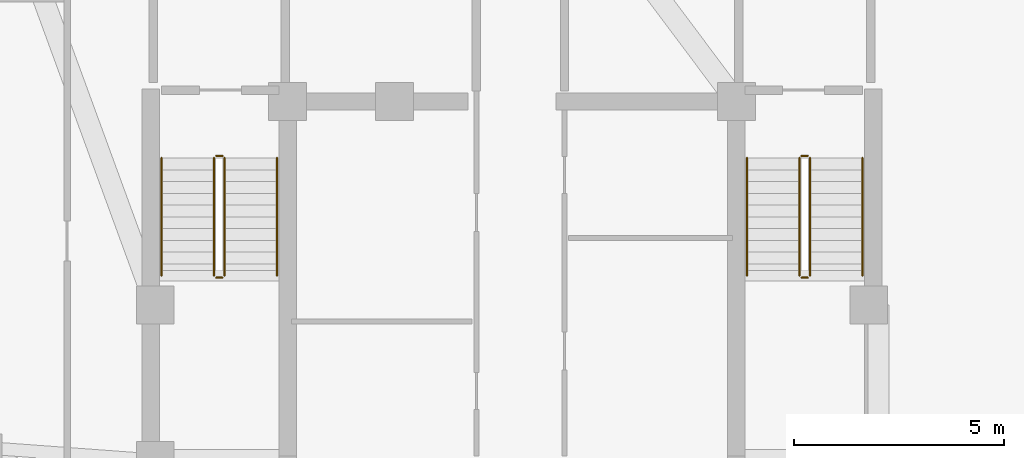
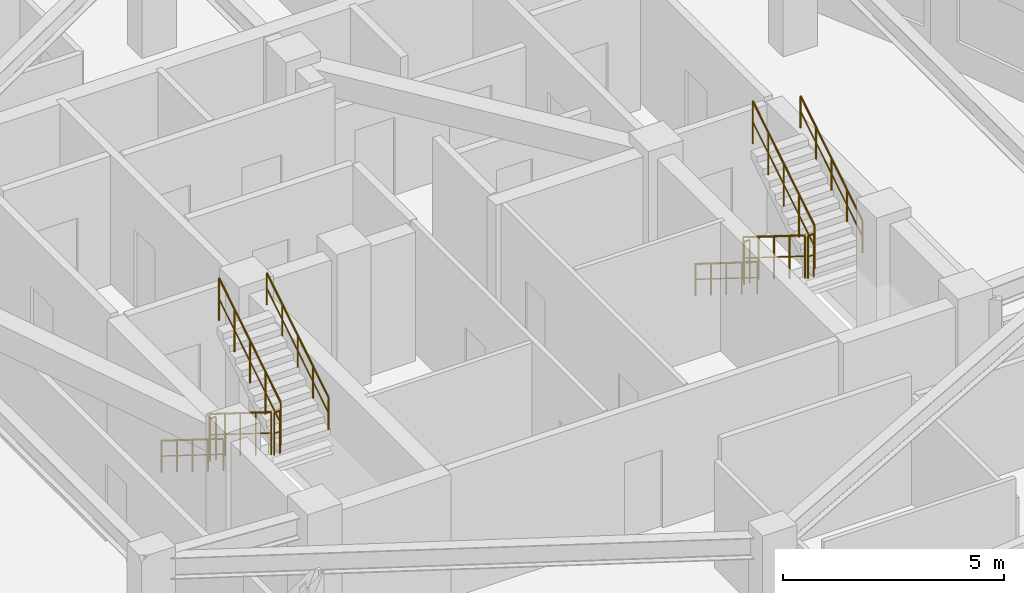
# One storey, part 9 of 9: 12 railings.
"""IFC4 building model written with IfcOpenShell, lengths in metres."""

from ifc_helpers import new_model, si_unit, direction, frame, origin, origin_2d, place, context, subcontext, project, spatial, circle, extrude, material, type_object, element, save


model = new_model("IFC4")

# Units and contexts
model_context = context("Model", 3, precision=1e-05, world=origin(), true_north=direction((0.0, 1.0)))
body_context = subcontext(model_context, "Body", "Model", "MODEL_VIEW")
ifc_project = project(units=[si_unit("LENGTHUNIT", "METRE"), si_unit("AREAUNIT", "SQUARE_METRE"), si_unit("VOLUMEUNIT", "CUBIC_METRE"), si_unit("PLANEANGLEUNIT", "RADIAN"), si_unit("MASSUNIT", "GRAM", prefix="KILO")], contexts=[model_context])

# Site, building, storey
site_placement = place(None, origin())
site = spatial("IfcSite", under=ifc_project, at=site_placement, CompositionType="ELEMENT")
building_placement = place(site_placement, origin())
building = spatial("IfcBuilding", under=site, at=building_placement, Name="Miruveldt Soraemaru", CompositionType="ELEMENT")
storey_placement = place(building_placement, frame((0.0, 0.0, 267.39990234375)))
storey = spatial("IfcBuildingStorey", under=building, at=storey_placement, Name="L73", CompositionType="ELEMENT", Elevation=267.39990234375)

# Railings
ifc_material = material(Name="Steel S355 (355 MPa)", Category="steel")
railing_type_1 = type_object("IfcRailingType", Name="RAIL-HR-900", PredefinedType="HANDRAIL", material=ifc_material)
railing_1_placement = place(storey_placement, frame((35.64990234375, 42.699951171875, 0.175048828125)))
element("IfcRailing", 1, at=railing_1_placement, inside=storey, type_object=railing_type_1, Name="L73 ST-1 stair handrail 1", PredefinedType="HANDRAIL", context=body_context, shape_type="SweptSolid", body=[
    extrude(circle(Radius=0.02392578125, at=origin_2d()), frame((0.0, 0.0, 0.8759765625), z_axis=(0.0, -0.848002457836, 0.529992293815), x_axis=(1.0, 0.0, 0.0)), (0.0, 0.0, 1.0), 3.302001953125),
    extrude(circle(Radius=0.01611328125, at=origin_2d()), frame((0.0, 0.0, 0.449951171875), z_axis=(0.0, -0.848002457836, 0.529992293815), x_axis=(1.0, 0.0, 0.0)), (0.0, 0.0, 1.0), 3.302001953125),
    extrude(circle(Radius=0.02099609375, at=origin_2d()), origin(), (0.0, 0.0, 1.0), 0.851806640625),
    extrude(circle(Radius=0.02099609375, at=origin_2d()), frame((0.0, -0.699951171875, 0.4375)), (0.0, 0.0, 1.0), 0.851806640625),
    extrude(circle(Radius=0.02099609375, at=origin_2d()), frame((0.0, -1.39990234375, 0.875)), (0.0, 0.0, 1.0), 0.851806640625),
    extrude(circle(Radius=0.02099609375, at=origin_2d()), frame((0.0, -2.10009765625, 1.3125)), (0.0, 0.0, 1.0), 0.851806640625),
    extrude(circle(Radius=0.02099609375, at=origin_2d()), frame((0.0, -2.800048828125, 1.75)), (0.0, 0.0, 1.0), 0.851806640625),
])
railing_2_placement = place(storey_placement, frame((38.39990234375, 39.89990234375, 2.10009765625)))
element("IfcRailing", 2, at=railing_2_placement, inside=storey, type_object=railing_type_1, Name="L73 ST-1 stair handrail 2", PredefinedType="HANDRAIL", context=body_context, shape_type="SweptSolid", body=[
    extrude(circle(Radius=0.02392578125, at=origin_2d()), frame((0.0, 0.0, 0.8759765625), z_axis=(0.0, 0.848002457836, 0.529992293815), x_axis=(-1.0, 0.0, 0.0)), (0.0, 0.0, 1.0), 3.302001953125),
    extrude(circle(Radius=0.01611328125, at=origin_2d()), frame((0.0, 0.0, 0.449951171875), z_axis=(0.0, 0.848002457836, 0.529992293815), x_axis=(-1.0, 0.0, 0.0)), (0.0, 0.0, 1.0), 3.302001953125),
    extrude(circle(Radius=0.02099609375, at=origin_2d()), origin(), (0.0, 0.0, 1.0), 0.851806640625),
    extrude(circle(Radius=0.02099609375, at=origin_2d()), frame((0.0, 0.699951171875, 0.4375)), (0.0, 0.0, 1.0), 0.851806640625),
    extrude(circle(Radius=0.02099609375, at=origin_2d()), frame((0.0, 1.39990234375, 0.875)), (0.0, 0.0, 1.0), 0.851806640625),
    extrude(circle(Radius=0.02099609375, at=origin_2d()), frame((0.0, 2.10009765625, 1.3125)), (0.0, 0.0, 1.0), 0.851806640625),
    extrude(circle(Radius=0.02099609375, at=origin_2d()), frame((0.0, 2.800048828125, 1.75)), (0.0, 0.0, 1.0), 0.851806640625),
])
railing_3_placement = place(storey_placement, frame((49.60009765625, 42.699951171875, 0.175048828125)))
element("IfcRailing", 3, at=railing_3_placement, inside=storey, type_object=railing_type_1, Name="L73 ST-2 stair handrail 1", PredefinedType="HANDRAIL", context=body_context, shape_type="SweptSolid", body=[
    extrude(circle(Radius=0.02392578125, at=origin_2d()), frame((0.0, 0.0, 0.8759765625), z_axis=(0.0, -0.848002457836, 0.529992293815), x_axis=(1.0, 0.0, 0.0)), (0.0, 0.0, 1.0), 3.302001953125),
    extrude(circle(Radius=0.01611328125, at=origin_2d()), frame((0.0, 0.0, 0.449951171875), z_axis=(0.0, -0.848002457836, 0.529992293815), x_axis=(1.0, 0.0, 0.0)), (0.0, 0.0, 1.0), 3.302001953125),
    extrude(circle(Radius=0.02099609375, at=origin_2d()), origin(), (0.0, 0.0, 1.0), 0.851806640625),
    extrude(circle(Radius=0.02099609375, at=origin_2d()), frame((0.0, -0.699951171875, 0.4375)), (0.0, 0.0, 1.0), 0.851806640625),
    extrude(circle(Radius=0.02099609375, at=origin_2d()), frame((0.0, -1.39990234375, 0.875)), (0.0, 0.0, 1.0), 0.851806640625),
    extrude(circle(Radius=0.02099609375, at=origin_2d()), frame((0.0, -2.10009765625, 1.3125)), (0.0, 0.0, 1.0), 0.851806640625),
    extrude(circle(Radius=0.02099609375, at=origin_2d()), frame((0.0, -2.800048828125, 1.75)), (0.0, 0.0, 1.0), 0.851806640625),
])
railing_4_placement = place(storey_placement, frame((52.35009765625, 39.89990234375, 2.10009765625)))
element("IfcRailing", 4, at=railing_4_placement, inside=storey, type_object=railing_type_1, Name="L73 ST-2 stair handrail 2", PredefinedType="HANDRAIL", context=body_context, shape_type="SweptSolid", body=[
    extrude(circle(Radius=0.02392578125, at=origin_2d()), frame((0.0, 0.0, 0.8759765625), z_axis=(0.0, 0.848002457836, 0.529992293815), x_axis=(-1.0, 0.0, 0.0)), (0.0, 0.0, 1.0), 3.302001953125),
    extrude(circle(Radius=0.01611328125, at=origin_2d()), frame((0.0, 0.0, 0.449951171875), z_axis=(0.0, 0.848002457836, 0.529992293815), x_axis=(-1.0, 0.0, 0.0)), (0.0, 0.0, 1.0), 3.302001953125),
    extrude(circle(Radius=0.02099609375, at=origin_2d()), origin(), (0.0, 0.0, 1.0), 0.851806640625),
    extrude(circle(Radius=0.02099609375, at=origin_2d()), frame((0.0, 0.699951171875, 0.4375)), (0.0, 0.0, 1.0), 0.851806640625),
    extrude(circle(Radius=0.02099609375, at=origin_2d()), frame((0.0, 1.39990234375, 0.875)), (0.0, 0.0, 1.0), 0.851806640625),
    extrude(circle(Radius=0.02099609375, at=origin_2d()), frame((0.0, 2.10009765625, 1.3125)), (0.0, 0.0, 1.0), 0.851806640625),
    extrude(circle(Radius=0.02099609375, at=origin_2d()), frame((0.0, 2.800048828125, 1.75)), (0.0, 0.0, 1.0), 0.851806640625),
])
railing_type_2 = type_object("IfcRailingType", Name="RAIL-STGUARD-1200", PredefinedType="GUARDRAIL", material=ifc_material)
railing_5_placement = place(storey_placement, frame((36.89990234375, 42.699951171875, 0.175048828125)))
element("IfcRailing", 5, at=railing_5_placement, inside=storey, type_object=railing_type_2, Name="L73 ST-1 stair guard 1", PredefinedType="GUARDRAIL", context=body_context, shape_type="SweptSolid", body=[
    extrude(circle(Radius=0.02392578125, at=origin_2d()), frame((0.0, 0.0, 1.17578125), z_axis=(0.0, -0.848002457836, 0.529992293815), x_axis=(1.0, 0.0, 0.0)), (0.0, 0.0, 1.0), 3.302001953125),
    extrude(circle(Radius=0.01611328125, at=origin_2d()), frame((0.0, 0.0, 0.60009765625), z_axis=(0.0, -0.848002457836, 0.529992293815), x_axis=(1.0, 0.0, 0.0)), (0.0, 0.0, 1.0), 3.302001953125),
    extrude(circle(Radius=0.02099609375, at=origin_2d()), origin(), (0.0, 0.0, 1.0), 1.15185546875),
    extrude(circle(Radius=0.02099609375, at=origin_2d()), frame((0.0, -0.699951171875, 0.4375)), (0.0, 0.0, 1.0), 1.15185546875),
    extrude(circle(Radius=0.02099609375, at=origin_2d()), frame((0.0, -1.39990234375, 0.875)), (0.0, 0.0, 1.0), 1.15185546875),
    extrude(circle(Radius=0.02099609375, at=origin_2d()), frame((0.0, -2.10009765625, 1.3125)), (0.0, 0.0, 1.0), 1.15185546875),
    extrude(circle(Radius=0.02099609375, at=origin_2d()), frame((0.0, -2.800048828125, 1.75)), (0.0, 0.0, 1.0), 1.15185546875),
])
railing_6_placement = place(storey_placement, frame((36.949951171875, 39.85009765625, 1.925048828125)))
element("IfcRailing", 6, at=railing_6_placement, inside=storey, type_object=railing_type_2, Name="L73 ST-1 stair guard 2", PredefinedType="GUARDRAIL", context=body_context, shape_type="SweptSolid", body=[
    extrude(circle(Radius=0.02392578125, at=origin_2d()), frame((0.0, 0.0, 1.17578125), z_axis=(1.0, 0.0, 0.0), x_axis=(0.0, 1.0, 0.0)), (0.0, 0.0, 1.0), 0.150146484375),
    extrude(circle(Radius=0.01611328125, at=origin_2d()), frame((0.0, 0.0, 0.60009765625), z_axis=(1.0, 0.0, 0.0), x_axis=(0.0, 1.0, 0.0)), (0.0, 0.0, 1.0), 0.150146484375),
    extrude(circle(Radius=0.02099609375, at=origin_2d()), origin(), (0.0, 0.0, 1.0), 1.15185546875),
    extrude(circle(Radius=0.02099609375, at=origin_2d()), frame((0.150146484375, 0.0, 0.0)), (0.0, 0.0, 1.0), 1.15185546875),
])
railing_7_placement = place(storey_placement, frame((37.14990234375, 39.89990234375, 2.10009765625)))
element("IfcRailing", 7, at=railing_7_placement, inside=storey, type_object=railing_type_2, Name="L73 ST-1 stair guard 3", PredefinedType="GUARDRAIL", context=body_context, shape_type="SweptSolid", body=[
    extrude(circle(Radius=0.02392578125, at=origin_2d()), frame((0.0, 0.0, 1.17578125), z_axis=(0.0, 0.848002457836, 0.529992293815), x_axis=(-1.0, 0.0, 0.0)), (0.0, 0.0, 1.0), 3.302001953125),
    extrude(circle(Radius=0.01611328125, at=origin_2d()), frame((0.0, 0.0, 0.60009765625), z_axis=(0.0, 0.848002457836, 0.529992293815), x_axis=(-1.0, 0.0, 0.0)), (0.0, 0.0, 1.0), 3.302001953125),
    extrude(circle(Radius=0.02099609375, at=origin_2d()), origin(), (0.0, 0.0, 1.0), 1.15185546875),
    extrude(circle(Radius=0.02099609375, at=origin_2d()), frame((0.0, 0.699951171875, 0.4375)), (0.0, 0.0, 1.0), 1.15185546875),
    extrude(circle(Radius=0.02099609375, at=origin_2d()), frame((0.0, 1.39990234375, 0.875)), (0.0, 0.0, 1.0), 1.15185546875),
    extrude(circle(Radius=0.02099609375, at=origin_2d()), frame((0.0, 2.10009765625, 1.3125)), (0.0, 0.0, 1.0), 1.15185546875),
    extrude(circle(Radius=0.02099609375, at=origin_2d()), frame((0.0, 2.800048828125, 1.75)), (0.0, 0.0, 1.0), 1.15185546875),
])
railing_8_placement = place(storey_placement, frame((36.949951171875, 42.75, 0.0)))
element("IfcRailing", 8, at=railing_8_placement, inside=storey, type_object=railing_type_2, Name="L73 ST-1 stair guard 4", PredefinedType="GUARDRAIL", context=body_context, shape_type="SweptSolid", body=[
    extrude(circle(Radius=0.02392578125, at=origin_2d()), frame((0.0, 0.0, 1.17578125), z_axis=(1.0, 0.0, 0.0), x_axis=(0.0, 1.0, 0.0)), (0.0, 0.0, 1.0), 0.150146484375),
    extrude(circle(Radius=0.01611328125, at=origin_2d()), frame((0.0, 0.0, 0.60009765625), z_axis=(1.0, 0.0, 0.0), x_axis=(0.0, 1.0, 0.0)), (0.0, 0.0, 1.0), 0.150146484375),
    extrude(circle(Radius=0.02099609375, at=origin_2d()), origin(), (0.0, 0.0, 1.0), 1.15185546875),
    extrude(circle(Radius=0.02099609375, at=origin_2d()), frame((0.150146484375, 0.0, 0.0)), (0.0, 0.0, 1.0), 1.15185546875),
])
railing_9_placement = place(storey_placement, frame((50.85009765625, 42.699951171875, 0.175048828125)))
element("IfcRailing", 9, at=railing_9_placement, inside=storey, type_object=railing_type_2, Name="L73 ST-2 stair guard 1", PredefinedType="GUARDRAIL", context=body_context, shape_type="SweptSolid", body=[
    extrude(circle(Radius=0.02392578125, at=origin_2d()), frame((0.0, 0.0, 1.17578125), z_axis=(0.0, -0.848002457836, 0.529992293815), x_axis=(1.0, 0.0, 0.0)), (0.0, 0.0, 1.0), 3.302001953125),
    extrude(circle(Radius=0.01611328125, at=origin_2d()), frame((0.0, 0.0, 0.60009765625), z_axis=(0.0, -0.848002457836, 0.529992293815), x_axis=(1.0, 0.0, 0.0)), (0.0, 0.0, 1.0), 3.302001953125),
    extrude(circle(Radius=0.02099609375, at=origin_2d()), origin(), (0.0, 0.0, 1.0), 1.15185546875),
    extrude(circle(Radius=0.02099609375, at=origin_2d()), frame((0.0, -0.699951171875, 0.4375)), (0.0, 0.0, 1.0), 1.15185546875),
    extrude(circle(Radius=0.02099609375, at=origin_2d()), frame((0.0, -1.39990234375, 0.875)), (0.0, 0.0, 1.0), 1.15185546875),
    extrude(circle(Radius=0.02099609375, at=origin_2d()), frame((0.0, -2.10009765625, 1.3125)), (0.0, 0.0, 1.0), 1.15185546875),
    extrude(circle(Radius=0.02099609375, at=origin_2d()), frame((0.0, -2.800048828125, 1.75)), (0.0, 0.0, 1.0), 1.15185546875),
])
railing_10_placement = place(storey_placement, frame((50.89990234375, 39.85009765625, 1.925048828125)))
element("IfcRailing", 10, at=railing_10_placement, inside=storey, type_object=railing_type_2, Name="L73 ST-2 stair guard 2", PredefinedType="GUARDRAIL", context=body_context, shape_type="SweptSolid", body=[
    extrude(circle(Radius=0.02392578125, at=origin_2d()), frame((0.0, 0.0, 1.17578125), z_axis=(1.0, 0.0, 0.0), x_axis=(0.0, 1.0, 0.0)), (0.0, 0.0, 1.0), 0.150146484375),
    extrude(circle(Radius=0.01611328125, at=origin_2d()), frame((0.0, 0.0, 0.60009765625), z_axis=(1.0, 0.0, 0.0), x_axis=(0.0, 1.0, 0.0)), (0.0, 0.0, 1.0), 0.150146484375),
    extrude(circle(Radius=0.02099609375, at=origin_2d()), origin(), (0.0, 0.0, 1.0), 1.15185546875),
    extrude(circle(Radius=0.02099609375, at=origin_2d()), frame((0.150146484375, 0.0, 0.0)), (0.0, 0.0, 1.0), 1.15185546875),
])
railing_11_placement = place(storey_placement, frame((51.10009765625, 39.89990234375, 2.10009765625)))
element("IfcRailing", 11, at=railing_11_placement, inside=storey, type_object=railing_type_2, Name="L73 ST-2 stair guard 3", PredefinedType="GUARDRAIL", context=body_context, shape_type="SweptSolid", body=[
    extrude(circle(Radius=0.02392578125, at=origin_2d()), frame((0.0, 0.0, 1.17578125), z_axis=(0.0, 0.848002457836, 0.529992293815), x_axis=(-1.0, 0.0, 0.0)), (0.0, 0.0, 1.0), 3.302001953125),
    extrude(circle(Radius=0.01611328125, at=origin_2d()), frame((0.0, 0.0, 0.60009765625), z_axis=(0.0, 0.848002457836, 0.529992293815), x_axis=(-1.0, 0.0, 0.0)), (0.0, 0.0, 1.0), 3.302001953125),
    extrude(circle(Radius=0.02099609375, at=origin_2d()), origin(), (0.0, 0.0, 1.0), 1.15185546875),
    extrude(circle(Radius=0.02099609375, at=origin_2d()), frame((0.0, 0.699951171875, 0.4375)), (0.0, 0.0, 1.0), 1.15185546875),
    extrude(circle(Radius=0.02099609375, at=origin_2d()), frame((0.0, 1.39990234375, 0.875)), (0.0, 0.0, 1.0), 1.15185546875),
    extrude(circle(Radius=0.02099609375, at=origin_2d()), frame((0.0, 2.10009765625, 1.3125)), (0.0, 0.0, 1.0), 1.15185546875),
    extrude(circle(Radius=0.02099609375, at=origin_2d()), frame((0.0, 2.800048828125, 1.75)), (0.0, 0.0, 1.0), 1.15185546875),
])
railing_12_placement = place(storey_placement, frame((50.89990234375, 42.75, 0.0)))
element("IfcRailing", 12, at=railing_12_placement, inside=storey, type_object=railing_type_2, Name="L73 ST-2 stair guard 4", PredefinedType="GUARDRAIL", context=body_context, shape_type="SweptSolid", body=[
    extrude(circle(Radius=0.02392578125, at=origin_2d()), frame((0.0, 0.0, 1.17578125), z_axis=(1.0, 0.0, 0.0), x_axis=(0.0, 1.0, 0.0)), (0.0, 0.0, 1.0), 0.150146484375),
    extrude(circle(Radius=0.01611328125, at=origin_2d()), frame((0.0, 0.0, 0.60009765625), z_axis=(1.0, 0.0, 0.0), x_axis=(0.0, 1.0, 0.0)), (0.0, 0.0, 1.0), 0.150146484375),
    extrude(circle(Radius=0.02099609375, at=origin_2d()), origin(), (0.0, 0.0, 1.0), 1.15185546875),
    extrude(circle(Radius=0.02099609375, at=origin_2d()), frame((0.150146484375, 0.0, 0.0)), (0.0, 0.0, 1.0), 1.15185546875),
])

save(model, "model.ifc")
